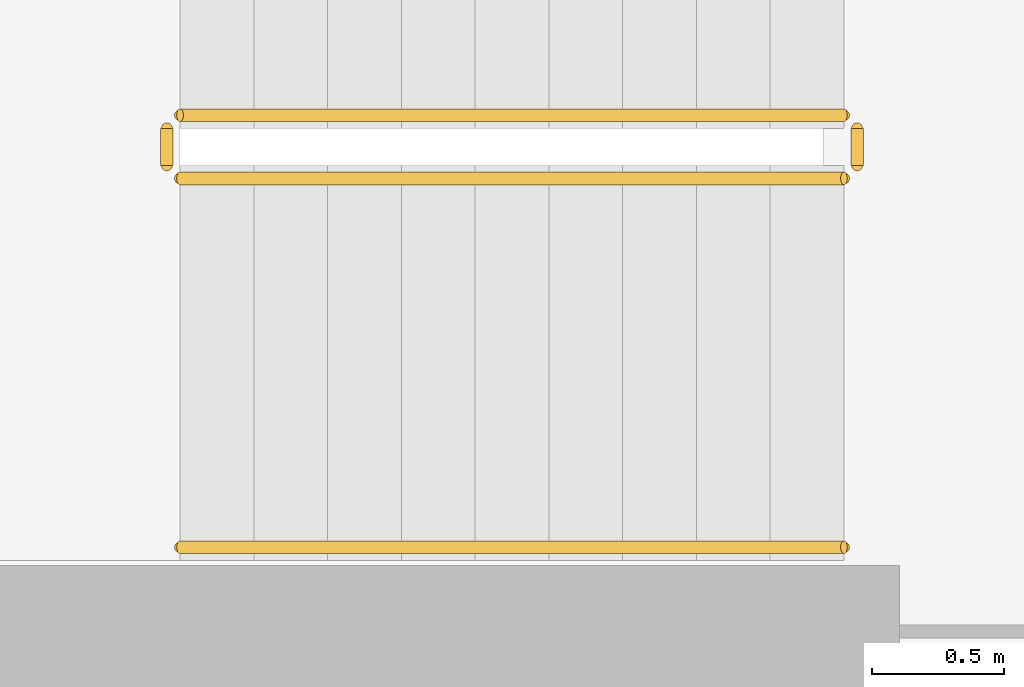
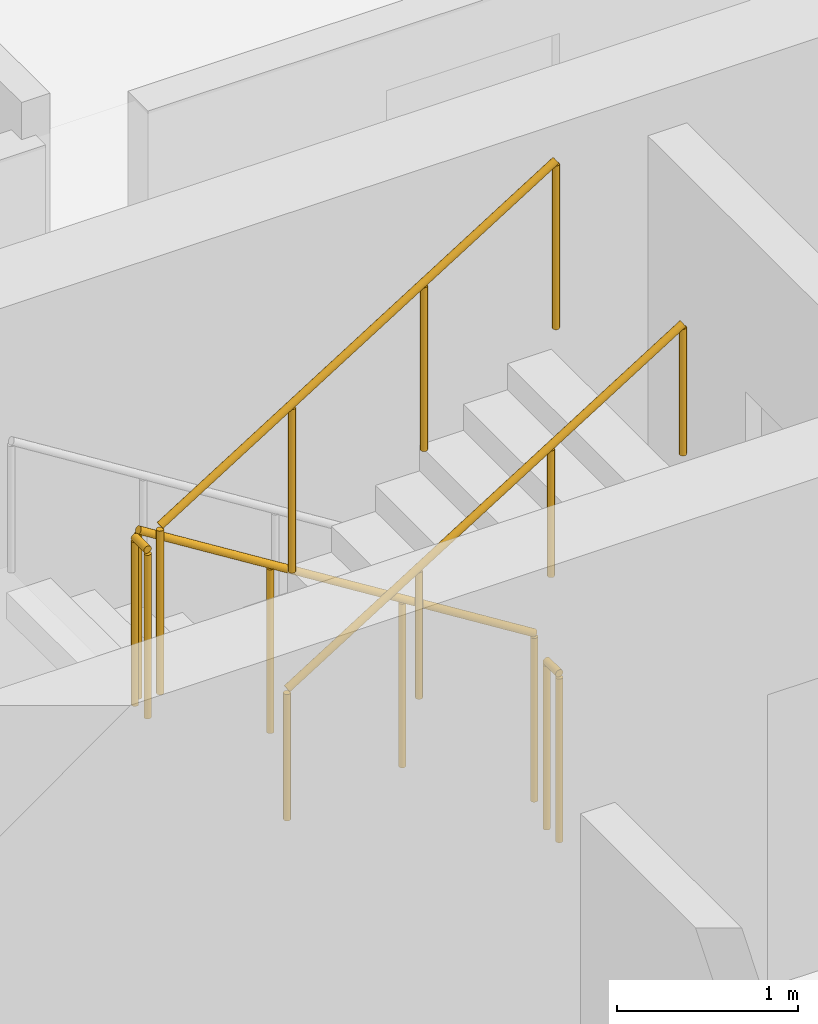
# One storey, part 25 of 27: 5 railings.
"""IFC4 building model written with IfcOpenShell, lengths in metres."""

from ifc_helpers import new_model, si_unit, derived_unit, direction, frame, origin, origin_2d, place, context, subcontext, project, spatial, circle, extrude, material, type_object, element, save


model = new_model("IFC4")

# Units and contexts
model_context = context("Model", 3, precision=1e-05, world=origin(), true_north=direction((0.0, 1.0)))
body_context = subcontext(model_context, "Body", "Model", "MODEL_VIEW")
ifc_project = project(units=[si_unit("LENGTHUNIT", "METRE"), si_unit("AREAUNIT", "SQUARE_METRE"), si_unit("VOLUMEUNIT", "CUBIC_METRE"), si_unit("PLANEANGLEUNIT", "RADIAN"), si_unit("MASSUNIT", "GRAM", prefix="KILO"), derived_unit("THERMALTRANSMITTANCEUNIT", [(si_unit("POWERUNIT", "WATT"), 1), (si_unit("LENGTHUNIT", "METRE"), -2), (si_unit("THERMODYNAMICTEMPERATUREUNIT", "KELVIN"), -1)])], contexts=[model_context])

# Site, building, storey
site_placement = place(None, origin())
site = spatial("IfcSite", under=ifc_project, at=site_placement, CompositionType="ELEMENT")
building_placement = place(site_placement, origin())
building = spatial("IfcBuilding", under=site, at=building_placement, Name="Kivonza Crest Hotel", CompositionType="ELEMENT")
storey_placement = place(building_placement, frame((0.0, 0.0, 76.5)))
storey = spatial("IfcBuildingStorey", under=building, at=storey_placement, Name="L20", CompositionType="ELEMENT", Elevation=76.5)

# Railings
ifc_material_1 = material(Name="Brushed stainless steel handrail", Category="steel")
railing_type_1 = type_object("IfcRailingType", Name="RL-HAND-900", PredefinedType="HANDRAIL", material=ifc_material_1)
railing_1_placement = place(storey_placement, frame((9.719970703125, 33.070068359375, 1.925048828125)))
element("IfcRailing", 1, at=railing_1_placement, inside=storey, type_object=railing_type_1, Name="L20 ST-T1-N stair handrail 2", PredefinedType="HANDRAIL", context=body_context, shape_type="SweptSolid", body=[
    extrude(circle(Radius=0.02392578125, at=origin_2d()), frame((0.0, 0.0, 0.8759765625), z_axis=(0.848007534815, 0.0, 0.529984170421), x_axis=(0.0, 1.0, 0.0)), (0.0, 0.0, 1.0), 2.9716796875),
    extrude(circle(Radius=0.02099609375, at=origin_2d()), origin(), (0.0, 0.0, 1.0), 0.851806640625),
    extrude(circle(Radius=0.02099609375, at=origin_2d()), frame((0.840087890625, 0.0, 0.52490234375)), (0.0, 0.0, 1.0), 0.851806640625),
    extrude(circle(Radius=0.02099609375, at=origin_2d()), frame((1.679931640625, 0.0, 1.050048828125)), (0.0, 0.0, 1.0), 0.851806640625),
    extrude(circle(Radius=0.02099609375, at=origin_2d()), frame((2.52001953125, 0.0, 1.574951171875)), (0.0, 0.0, 1.0), 0.851806640625),
])
ifc_material_2 = material(Name="Painted steel balustrade", Category="steel")
railing_type_2 = type_object("IfcRailingType", Name="RL-STAIR-1150", PredefinedType="BALUSTRADE", material=ifc_material_2)
railing_2_placement = place(storey_placement, frame((12.239990234375, 34.7099609375, 0.175048828125)))
element("IfcRailing", 2, at=railing_2_placement, inside=storey, type_object=railing_type_2, Name="L20 ST-T1-N stair guard 1", PredefinedType="BALUSTRADE", context=body_context, shape_type="SweptSolid", body=[
    extrude(circle(Radius=0.02392578125, at=origin_2d()), frame((0.0, 0.0, 1.1259765625), z_axis=(-0.848007534815, 0.0, 0.529984170421), x_axis=(0.0, -1.0, 0.0)), (0.0, 0.0, 1.0), 2.9716796875),
    extrude(circle(Radius=0.02099609375, at=origin_2d()), origin(), (0.0, 0.0, 1.0), 1.101806640625),
    extrude(circle(Radius=0.02099609375, at=origin_2d()), frame((-0.840087890625, 0.0, 0.52490234375)), (0.0, 0.0, 1.0), 1.101806640625),
    extrude(circle(Radius=0.02099609375, at=origin_2d()), frame((-1.679931640625, 0.0, 1.050048828125)), (0.0, 0.0, 1.0), 1.101806640625),
    extrude(circle(Radius=0.02099609375, at=origin_2d()), frame((-2.52001953125, 0.0, 1.574951171875)), (0.0, 0.0, 1.0), 1.101806640625),
])
railing_3_placement = place(storey_placement, frame((9.669921875, 34.659912109375, 1.75)))
element("IfcRailing", 3, at=railing_3_placement, inside=storey, type_object=railing_type_2, Name="L20 ST-T1-N stair guard 2", PredefinedType="BALUSTRADE", context=body_context, shape_type="SweptSolid", body=[
    extrude(circle(Radius=0.02392578125, at=origin_2d()), frame((0.0, 0.0, 1.1259765625), z_axis=(0.0, -1.0, 0.0), x_axis=(1.0, 0.0, 0.0)), (0.0, 0.0, 1.0), 0.139892578125),
    extrude(circle(Radius=0.02099609375, at=origin_2d()), origin(), (0.0, 0.0, 1.0), 1.101806640625),
    extrude(circle(Radius=0.02099609375, at=origin_2d()), frame((0.0, -0.139892578125, 0.0)), (0.0, 0.0, 1.0), 1.101806640625),
])
railing_4_placement = place(storey_placement, frame((9.719970703125, 34.469970703125, 1.925048828125)))
element("IfcRailing", 4, at=railing_4_placement, inside=storey, type_object=railing_type_2, Name="L20 ST-T1-N stair guard 3", PredefinedType="BALUSTRADE", context=body_context, shape_type="SweptSolid", body=[
    extrude(circle(Radius=0.02392578125, at=origin_2d()), frame((0.0, 0.0, 1.1259765625), z_axis=(0.848007534815, 0.0, 0.529984170421), x_axis=(0.0, 1.0, 0.0)), (0.0, 0.0, 1.0), 2.9716796875),
    extrude(circle(Radius=0.02099609375, at=origin_2d()), origin(), (0.0, 0.0, 1.0), 1.101806640625),
    extrude(circle(Radius=0.02099609375, at=origin_2d()), frame((0.840087890625, 0.0, 0.52490234375)), (0.0, 0.0, 1.0), 1.101806640625),
    extrude(circle(Radius=0.02099609375, at=origin_2d()), frame((1.679931640625, 0.0, 1.050048828125)), (0.0, 0.0, 1.0), 1.101806640625),
    extrude(circle(Radius=0.02099609375, at=origin_2d()), frame((2.52001953125, 0.0, 1.574951171875)), (0.0, 0.0, 1.0), 1.101806640625),
])
railing_5_placement = place(storey_placement, frame((12.2900390625, 34.659912109375, 0.0)))
element("IfcRailing", 5, at=railing_5_placement, inside=storey, type_object=railing_type_2, Name="L20 ST-T1-N stair guard 4", PredefinedType="BALUSTRADE", context=body_context, shape_type="SweptSolid", body=[
    extrude(circle(Radius=0.02392578125, at=origin_2d()), frame((0.0, 0.0, 1.1259765625), z_axis=(0.0, -1.0, 0.0), x_axis=(1.0, 0.0, 0.0)), (0.0, 0.0, 1.0), 0.139892578125),
    extrude(circle(Radius=0.02099609375, at=origin_2d()), origin(), (0.0, 0.0, 1.0), 1.101806640625),
    extrude(circle(Radius=0.02099609375, at=origin_2d()), frame((0.0, -0.139892578125, 0.0)), (0.0, 0.0, 1.0), 1.101806640625),
])

save(model, "model.ifc")
